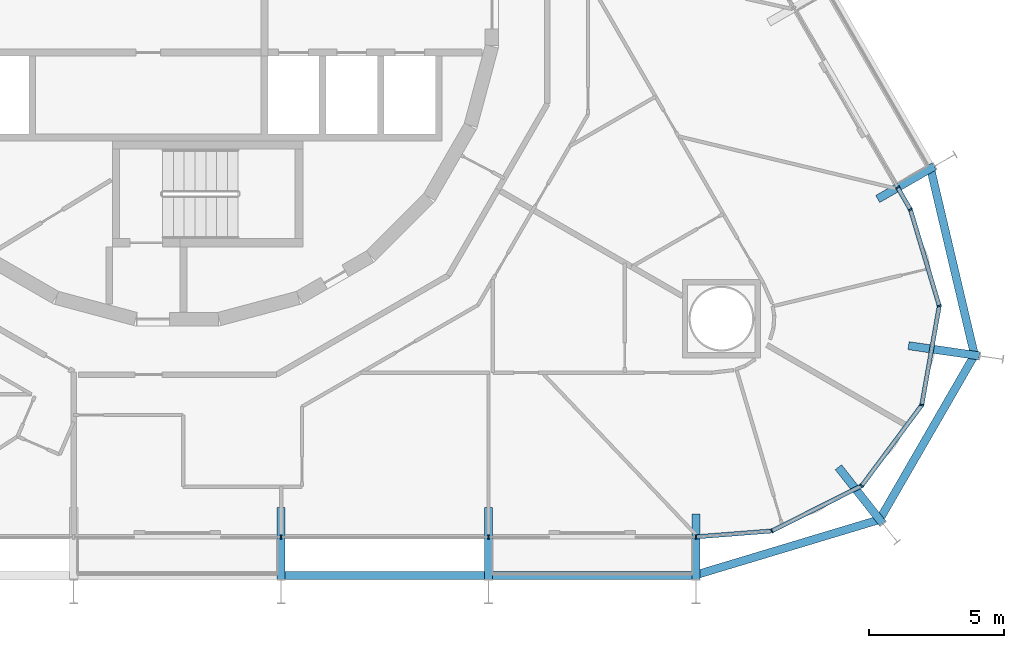
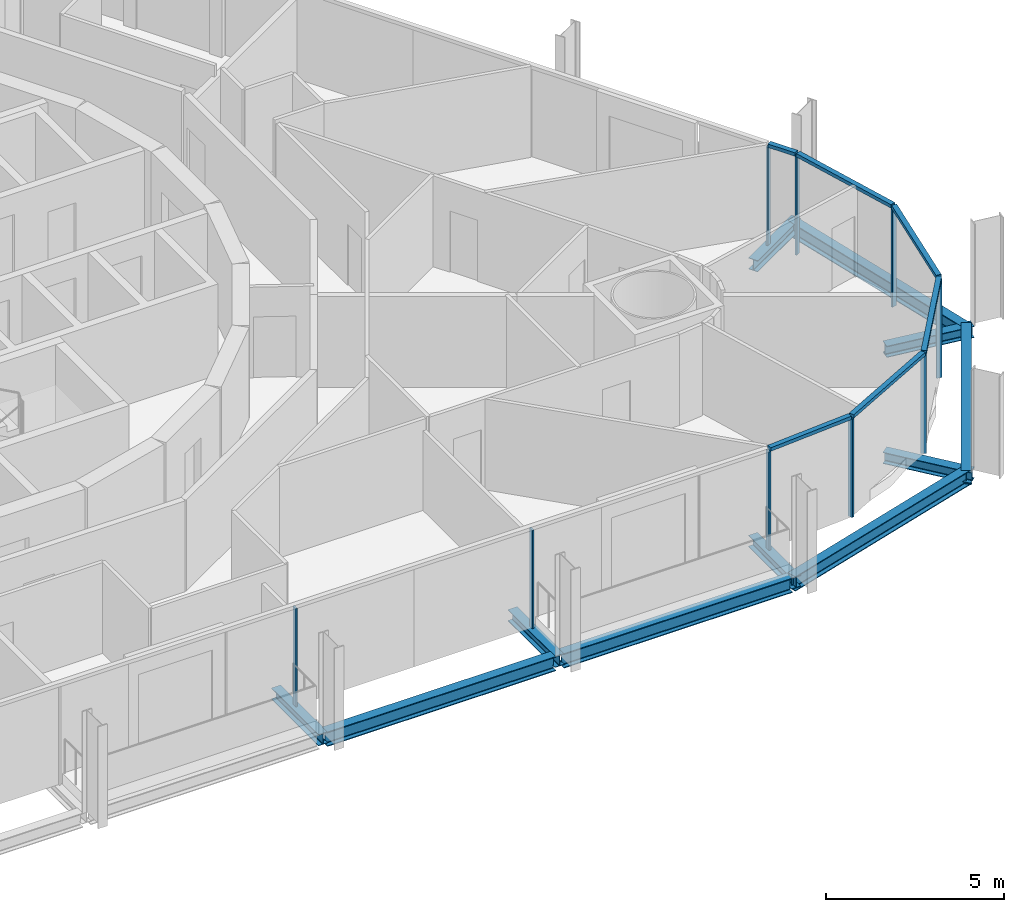
# One storey, part 6 of 21: 15 members, 11 beams, 3 elements without a shape of their own.
"""IFC4 building model written with IfcOpenShell, lengths in metres."""

import ifcopenshell
import ifcopenshell.guid

model = None  # the IFC model being written
_history = None  # IfcOwnerHistory: only IFC2X3 demands one
_inside = {}  # id of a spatial element -> (the spatial element, [elements in it])
_under = {}  # id of a project, library or spatial element -> (it, [spatial elements below it])
_declared = {}  # id of a project -> (the project, [libraries it declares])
_typed = {}  # id of a type object -> (the type object, [elements of that type])
_made_of = {}  # id of a material, layer set ... -> (it, [elements and type objects made of it])


def new_model(schema):
    """Start an empty IFC model of exactly this schema.

    Asked for "IFC4X3", IfcOpenShell would pick the latest addendum, in which some entities
    have other attributes; the version numbers below select the first issue.
    IFC2X3 requires an IfcOwnerHistory on every rooted entity: one is made here for all.
    """
    global model, _history
    if schema == "IFC4X3":
        model = ifcopenshell.file(schema_version=(4, 3, 0, 0))
    else:
        model = ifcopenshell.file(schema=schema)
    _inside.clear()
    _under.clear()
    _declared.clear()
    _typed.clear()
    _made_of.clear()
    _history = None
    if model.schema == "IFC2X3":
        org = make("IfcOrganization", Name="unknown")
        user = make(
            "IfcPersonAndOrganization",
            ThePerson=make("IfcPerson", FamilyName="unknown"),
            TheOrganization=org,
        )
        app = make(
            "IfcApplication",
            ApplicationDeveloper=org,
            Version="unknown",
            ApplicationFullName="unknown",
            ApplicationIdentifier="unknown",
        )
        _history = make(
            "IfcOwnerHistory",
            OwningUser=user,
            OwningApplication=app,
            ChangeAction="ADDED",
            CreationDate=0,
        )
    return model


def make(cls, **values):
    """One entity of the class cls with the attributes given. An attribute that is None is left unset."""
    return model.create_entity(
        cls, **{name: value for name, value in values.items() if value is not None}
    )


def rooted(cls, **values):
    """An entity with a GlobalId (a new one), such as an element, a storey or a relation."""
    return make(cls, GlobalId=ifcopenshell.guid.new(), OwnerHistory=_history, **values)


def si_unit(unit_type, name, prefix=None):
    """IfcSIUnit, for example si_unit("LENGTHUNIT", "METRE", prefix="MILLI")."""
    return make("IfcSIUnit", UnitType=unit_type, Prefix=prefix, Name=name)


def assignment(units):
    """IfcUnitAssignment: the units of a project."""
    return None if units is None else make("IfcUnitAssignment", Units=units)


def point(xyz):
    """IfcCartesianPoint."""
    return None if xyz is None else make("IfcCartesianPoint", Coordinates=xyz)


def direction(xyz):
    """IfcDirection."""
    return None if xyz is None else make("IfcDirection", DirectionRatios=xyz)


def frame(location, z_axis=None, x_axis=None):
    """IfcAxis2Placement3D, a coordinate frame: its origin and axes. An axis left out is left unset."""
    return make(
        "IfcAxis2Placement3D",
        Location=point(location),
        Axis=direction(z_axis),
        RefDirection=direction(x_axis),
    )


def frame_2d(location, x_axis=None):
    """IfcAxis2Placement2D, a coordinate frame in the plane: its origin and x axis."""
    return make(
        "IfcAxis2Placement2D", Location=point(location), RefDirection=direction(x_axis)
    )


def origin():
    """The frame at (0, 0, 0) with its axes left unset."""
    return frame((0.0, 0.0, 0.0))


def origin_2d():
    """The frame at (0, 0) in the plane with its x axis left unset."""
    return frame_2d((0.0, 0.0))


def place(relative_to, where):
    """IfcLocalPlacement: puts the frame where relative to a parent placement (None: the world)."""
    return make(
        "IfcLocalPlacement", PlacementRelTo=relative_to, RelativePlacement=where
    )


def context(
    kind, dimensions, precision=None, world=None, true_north=None, identifier=None
):
    """IfcGeometricRepresentationContext, for example the 3D "Model" context."""
    return make(
        "IfcGeometricRepresentationContext",
        ContextIdentifier=identifier,
        ContextType=kind,
        CoordinateSpaceDimension=dimensions,
        Precision=precision,
        WorldCoordinateSystem=world,
        TrueNorth=true_north,
    )


def subcontext(parent, identifier, kind, view, scale=None):
    """IfcGeometricRepresentationSubContext, for example "Body" below "Model"."""
    return make(
        "IfcGeometricRepresentationSubContext",
        ContextIdentifier=identifier,
        ContextType=kind,
        ParentContext=parent,
        TargetScale=scale,
        TargetView=view,
    )


def project(units=None, contexts=None):
    """IfcProject with its units and contexts."""
    return rooted(
        "IfcProject",
        Name="project",
        RepresentationContexts=contexts,
        UnitsInContext=assignment(units),
    )


def spatial(cls, under=None, at=None, **own):
    """A site, building, storey or space (cls), placed at a placement, below another one or the project."""
    s = rooted(cls, ObjectPlacement=at, **own)
    if under is not None:
        _under.setdefault(under.id(), (under, []))[1].append(s)
    return s


def profile(cls, at=None, kind="AREA", **sizes):
    """A parametric profile (cls). Its sizes go by their IFC names, for example OverallWidth=200.0."""
    return make(cls, ProfileType=kind, Position=at, **sizes)


def rectangle(**sizes):
    """IfcRectangleProfileDef."""
    return profile("IfcRectangleProfileDef", **sizes)


def i_section(**sizes):
    """IfcIShapeProfileDef."""
    return profile("IfcIShapeProfileDef", **sizes)


def extrude(swept, where, along, depth):
    """IfcExtrudedAreaSolid: the profile swept, set in the frame where, extruded along a direction by depth."""
    return make(
        "IfcExtrudedAreaSolid",
        SweptArea=swept,
        Position=where,
        ExtrudedDirection=direction(along),
        Depth=depth,
    )


def shape(context_of_items, identifier, shape_type, items):
    """IfcShapeRepresentation: the items that make up one representation, for example the "Body"."""
    return make(
        "IfcShapeRepresentation",
        ContextOfItems=context_of_items,
        RepresentationIdentifier=identifier,
        RepresentationType=shape_type,
        Items=items,
    )


def material(Name=None, Category=None):
    """IfcMaterial."""
    return make("IfcMaterial", Name=Name, Category=Category)


def layer(
    of_material, thickness, ventilated=None, Name=None, Category=None, Priority=None
):
    """IfcMaterialLayer: one layer of a wall or slab, of a material (None: an air gap)."""
    return make(
        "IfcMaterialLayer",
        Material=of_material,
        LayerThickness=thickness,
        IsVentilated=ventilated,
        Name=Name,
        Category=Category,
        Priority=Priority,
    )


def layer_set(layers, Name=None):
    """IfcMaterialLayerSet."""
    return make("IfcMaterialLayerSet", MaterialLayers=layers, LayerSetName=Name)


def material_profile(
    of_material, cross_section, Name=None, Category=None, Priority=None
):
    """IfcMaterialProfile: a cross section and its material."""
    return make(
        "IfcMaterialProfile",
        Name=Name,
        Material=of_material,
        Profile=cross_section,
        Priority=Priority,
        Category=Category,
    )


def profile_set(profiles, Name=None, composite=None):
    """IfcMaterialProfileSet."""
    return make(
        "IfcMaterialProfileSet",
        Name=Name,
        MaterialProfiles=profiles,
        CompositeProfile=composite,
    )


def made_of(thing, what):
    """Note that an element or type object is made of a material, layer set ...; save() writes the relation."""
    if what is not None:
        _made_of.setdefault(what.id(), (what, []))[1].append(thing)
    return thing


def type_object(cls, material=None, **own):
    """A type object (cls), such as IfcWallType, which elements share."""
    return made_of(rooted(cls, **own), material)


def element(
    cls,
    number,
    at=None,
    inside=None,
    cuts=None,
    type_object=None,
    material=None,
    context=None,
    identifier="Body",
    shape_type=None,
    held_by="IfcProductDefinitionShape",
    body=None,
    shapes=None,
    **own,
):
    """One element of the class cls, such as IfcWall. Its Tag is "e" and its number.

    at: its placement. inside: the storey or other place that contains it. cuts: it is an
    opening in that element (IfcRelVoidsElement). A single representation is given by context,
    identifier, shape_type and body (its items); several are given by shapes. held_by: the class
    of the entity that holds the representations. save() writes the other relations.
    """
    e = rooted(cls, Tag="e%d" % number, ObjectPlacement=at, **own)
    if body is not None:
        shapes = [shape(context, identifier, shape_type, body)]
    if shapes is not None:
        e.Representation = make(held_by, Representations=shapes)
    if inside is not None:
        _inside.setdefault(inside.id(), (inside, []))[1].append(e)
    if cuts is not None:
        rooted(
            "IfcRelVoidsElement", RelatingBuildingElement=cuts, RelatedOpeningElement=e
        )
    if type_object is not None:
        _typed.setdefault(type_object.id(), (type_object, []))[1].append(e)
    return made_of(e, material)


def aggregate(whole, parts):
    """IfcRelAggregates: a whole, such as a stair, and the parts it consists of."""
    return rooted("IfcRelAggregates", RelatingObject=whole, RelatedObjects=parts)


def save(model, path):
    """Write the relations noted so far, then the file.

    IfcRelAggregates (storeys below a building ...), IfcRelContainedInSpatialStructure (elements
    in a storey), IfcRelDefinesByType, IfcRelAssociatesMaterial and IfcRelDeclares: one each for
    every whole, place, type object, material and project.
    """
    for whole, parts in _under.values():
        aggregate(whole, parts)
    for where, things in _inside.values():
        rooted(
            "IfcRelContainedInSpatialStructure",
            RelatedElements=things,
            RelatingStructure=where,
        )
    for kind, things in _typed.values():
        rooted("IfcRelDefinesByType", RelatedObjects=things, RelatingType=kind)
    for what, things in _made_of.values():
        rooted("IfcRelAssociatesMaterial", RelatedObjects=things, RelatingMaterial=what)
    for by, libraries in _declared.values():
        rooted("IfcRelDeclares", RelatingContext=by, RelatedDefinitions=libraries)
    model.write(path)


model = new_model("IFC4")

# Units and contexts
model_context = context("Model", 3, precision=1e-05, world=origin(), true_north=direction((0.0, 1.0)))
body_context = subcontext(model_context, "Body", "Model", "MODEL_VIEW")
ifc_project = project(units=[si_unit("LENGTHUNIT", "METRE"), si_unit("AREAUNIT", "SQUARE_METRE"), si_unit("VOLUMEUNIT", "CUBIC_METRE"), si_unit("PLANEANGLEUNIT", "RADIAN"), si_unit("MASSUNIT", "GRAM", prefix="KILO")], contexts=[model_context])

# Site, building, storey
site_placement = place(None, origin())
site = spatial("IfcSite", under=ifc_project, at=site_placement, CompositionType="ELEMENT")
building_placement = place(site_placement, origin())
building = spatial("IfcBuilding", under=site, at=building_placement, Name="Spindle Arch Residences", CompositionType="ELEMENT")
storey_placement = place(building_placement, frame((0.0, 0.0, 48.89990234375)))
storey = spatial("IfcBuildingStorey", under=building, at=storey_placement, Name="L10", CompositionType="ELEMENT", Elevation=48.89990234375)

# Curtain wall, members
ifc_material_1 = material(Name="Aluminium bronze unitised frame with tinted glass", Category="aluminium")
ifc_layer_1 = layer(ifc_material_1, 0.159912109375)
ifc_layer_set_1 = layer_set([ifc_layer_1], Name="CW-D corner wall on the fillet arcs")
curtain_wall_type_1 = type_object("IfcCurtainWallType", Name="CW-D corner wall on the fillet arcs", PredefinedType="NOTDEFINED", material=ifc_layer_set_1)
curtain_wall_1_placement = place(storey_placement, origin())
curtain_wall_1 = element("IfcCurtainWall", 1, at=curtain_wall_1_placement, inside=storey, type_object=curtain_wall_type_1, Name="CW-D L10 run 1", PredefinedType="NOTDEFINED")
ifc_material_2 = material(Name="Aluminium bronze anodised mullion", Category="aluminium")
ifc_material_profile_1 = material_profile(ifc_material_2, rectangle(XDim=0.159912109375, YDim=0.06005859375, at=origin_2d()), Name="MU 60x160")
ifc_profile_set_1 = profile_set([ifc_material_profile_1], Name="Aluminium bronze anodised mullion")
member_type_1 = type_object("IfcMemberType", Name="Bronze mullion 60x160", PredefinedType="MULLION", material=ifc_profile_set_1)
member_1_placement = place(storey_placement, frame((19.2001953125, -19.7099609375, -0.3798828125), z_axis=(0.0, 0.0, 1.0), x_axis=(-0.077364085451, 0.997002907861, 0.0)))
member_1 = element("IfcMember", 2, at=member_1_placement, type_object=member_type_1, Name="CW-D mullion 00", PredefinedType="MULLION", context=body_context, shape_type="SweptSolid", body=[
    extrude(rectangle(XDim=0.159912109375, YDim=0.06005859375, at=origin_2d()), origin(), (0.0, 0.0, 1.0), 3.3798828125),
])
member_2_placement = place(storey_placement, frame((22.007080078125, -19.4921875, -0.3798828125), z_axis=(0.0, 0.0, 1.0), x_axis=(-0.448799176213, 0.893632642326, 0.0)))
member_2 = element("IfcMember", 3, at=member_2_placement, type_object=member_type_1, Name="CW-D mullion 01", PredefinedType="MULLION", context=body_context, shape_type="SweptSolid", body=[
    extrude(rectangle(XDim=0.159912109375, YDim=0.06005859375, at=origin_2d()), origin(), (0.0, 0.0, 1.0), 3.3798828125),
])
member_3_placement = place(storey_placement, frame((25.33740234375, -17.819580078125, -0.3798828125), z_axis=(0.0, 0.0, 1.0), x_axis=(-0.802123189687, 0.597158595823, 0.0)))
member_3 = element("IfcMember", 4, at=member_3_placement, type_object=member_type_1, Name="CW-D mullion 02", PredefinedType="MULLION", context=body_context, shape_type="SweptSolid", body=[
    extrude(rectangle(XDim=0.159912109375, YDim=0.06005859375, at=origin_2d()), origin(), (0.0, 0.0, 1.0), 3.3798828125),
])
member_4_placement = place(storey_placement, frame((27.562744140625, -14.830322265625, -0.3798828125), z_axis=(0.0, 0.0, 1.0), x_axis=(-0.984807752421, 0.173648181019, 0.0)))
member_4 = element("IfcMember", 5, at=member_4_placement, type_object=member_type_1, Name="CW-D mullion 03", PredefinedType="MULLION", context=body_context, shape_type="SweptSolid", body=[
    extrude(rectangle(XDim=0.159912109375, YDim=0.06005859375, at=origin_2d()), origin(), (0.0, 0.0, 1.0), 3.3798828125),
])
member_5_placement = place(storey_placement, frame((28.2099609375, -11.16015625, -0.3798828125), z_axis=(0.0, 0.0, 1.0), x_axis=(-0.957989512975, -0.28680323051, 0.0)))
member_5 = element("IfcMember", 6, at=member_5_placement, type_object=member_type_1, Name="CW-D mullion 04", PredefinedType="MULLION", context=body_context, shape_type="SweptSolid", body=[
    extrude(rectangle(XDim=0.159912109375, YDim=0.06005859375, at=origin_2d()), origin(), (0.0, 0.0, 1.0), 3.3798828125),
])
member_6_placement = place(storey_placement, frame((27.14111328125, -7.58984375, -0.3798828125), z_axis=(0.0, 0.0, 1.0), x_axis=(-0.866025403784, -0.5, 0.0)))
member_6 = element("IfcMember", 7, at=member_6_placement, type_object=member_type_1, Name="CW-D mullion 05", PredefinedType="MULLION", context=body_context, shape_type="SweptSolid", body=[
    extrude(rectangle(XDim=0.159912109375, YDim=0.06005859375, at=origin_2d()), origin(), (0.0, 0.0, 1.0), 3.3798828125),
])

# Curtain wall, member
ifc_material_3 = material(Name="Aluminium bronze unitised frame with tinted glass", Category="aluminium")
ifc_layer_2 = layer(ifc_material_3, 0.159912109375)
ifc_layer_set_2 = layer_set([ifc_layer_2], Name="CW-C typical residential unitised wall")
curtain_wall_type_2 = type_object("IfcCurtainWallType", Name="CW-C typical residential unitised wall", PredefinedType="NOTDEFINED", material=ifc_layer_set_2)
curtain_wall_2_placement = place(storey_placement, origin())
curtain_wall_2 = element("IfcCurtainWall", 8, at=curtain_wall_2_placement, inside=storey, type_object=curtain_wall_type_2, Name="CW-C L10 run 2", PredefinedType="NOTDEFINED")
member_7_placement = place(storey_placement, frame((26.66943359375, -6.77294921875, -0.3798828125), z_axis=(0.0, 0.0, 1.0), x_axis=(-0.866025403784, -0.5, 0.0)))
member_7 = element("IfcMember", 9, at=member_7_placement, type_object=member_type_1, Name="CW-C mullion 05", PredefinedType="MULLION", context=body_context, shape_type="SweptSolid", body=[
    extrude(rectangle(XDim=0.159912109375, YDim=0.06005859375, at=origin_2d()), origin(), (0.0, 0.0, 1.0), 3.3798828125),
])
aggregate(curtain_wall_2, [member_7])

# Curtain wall, members
curtain_wall_3_placement = place(storey_placement, origin())
curtain_wall_3 = element("IfcCurtainWall", 10, at=curtain_wall_3_placement, inside=storey, type_object=curtain_wall_type_2, Name="CW-C L10 run 6", PredefinedType="NOTDEFINED")
member_8_placement = place(storey_placement, frame((3.840087890625, -19.7099609375, -0.3798828125), z_axis=(0.0, 0.0, 1.0), x_axis=(0.0, 1.0, 0.0)))
member_8 = element("IfcMember", 11, at=member_8_placement, type_object=member_type_1, Name="CW-C mullion 00", PredefinedType="MULLION", context=body_context, shape_type="SweptSolid", body=[
    extrude(rectangle(XDim=0.159912109375, YDim=0.06005859375, at=origin_2d()), origin(), (0.0, 0.0, 1.0), 3.3798828125),
])
member_9_placement = place(storey_placement, frame((11.52001953125, -19.7099609375, -0.3798828125), z_axis=(0.0, 0.0, 1.0), x_axis=(0.0, 1.0, 0.0)))
member_9 = element("IfcMember", 12, at=member_9_placement, type_object=member_type_1, Name="CW-C mullion 01", PredefinedType="MULLION", context=body_context, shape_type="SweptSolid", body=[
    extrude(rectangle(XDim=0.159912109375, YDim=0.06005859375, at=origin_2d()), origin(), (0.0, 0.0, 1.0), 3.3798828125),
])
aggregate(curtain_wall_3, [member_8, member_9])

# Member
ifc_material_4 = material(Name="Aluminium bronze anodised transom", Category="aluminium")
ifc_material_profile_2 = material_profile(ifc_material_4, rectangle(XDim=0.159912109375, YDim=0.1201171875, at=origin_2d()), Name="TR 120x160")
ifc_profile_set_2 = profile_set([ifc_material_profile_2], Name="Aluminium bronze anodised transom")
member_type_2 = type_object("IfcMemberType", Name="Bronze transom 120x160", PredefinedType="USERDEFINED", material=ifc_profile_set_2)
member_10_placement = place(storey_placement, frame((19.22998046875, -19.70751953125, 3.06005859375), z_axis=(0.997003710875, 0.077353736189, 0.0), x_axis=(-0.077353736189, 0.997003710875, 0.0)))
member_10 = element("IfcMember", 13, at=member_10_placement, type_object=member_type_2, Name="CW-D transom 00", ObjectType="TRANSOM", PredefinedType="USERDEFINED", context=body_context, shape_type="SweptSolid", body=[
    extrude(rectangle(XDim=0.159912109375, YDim=0.1201171875, at=origin_2d()), origin(), (0.0, 0.0, 1.0), 2.75537109375),
])

member_11_placement = place(storey_placement, frame((22.03369140625, -19.478759765625, 3.06005859375), z_axis=(0.893626812559, 0.448810784046, 0.0), x_axis=(-0.448810784046, 0.893626812559, 0.0)))
member_11 = element("IfcMember", 14, at=member_11_placement, type_object=member_type_2, Name="CW-D transom 01", ObjectType="TRANSOM", PredefinedType="USERDEFINED", context=body_context, shape_type="SweptSolid", body=[
    extrude(rectangle(XDim=0.159912109375, YDim=0.1201171875, at=origin_2d()), origin(), (0.0, 0.0, 1.0), 3.6669921875),
])

member_12_placement = place(storey_placement, frame((25.355224609375, -17.79541015625, 3.06005859375), z_axis=(0.597173190998, 0.802112323776, 0.0), x_axis=(-0.802112323776, 0.597173190998, 0.0)))
member_12 = element("IfcMember", 15, at=member_12_placement, type_object=member_type_2, Name="CW-D transom 02", ObjectType="TRANSOM", PredefinedType="USERDEFINED", context=body_context, shape_type="SweptSolid", body=[
    extrude(rectangle(XDim=0.159912109375, YDim=0.1201171875, at=origin_2d()), origin(), (0.0, 0.0, 1.0), 3.666748046875),
])

member_13_placement = place(storey_placement, frame((27.56787109375, -14.80078125, 3.06005859375), z_axis=(0.173709368694, 0.984796961423, 0.0), x_axis=(-0.984796961423, 0.173709368694, 0.0)))
member_13 = element("IfcMember", 16, at=member_13_placement, type_object=member_type_2, Name="CW-D transom 03", ObjectType="TRANSOM", PredefinedType="USERDEFINED", context=body_context, shape_type="SweptSolid", body=[
    extrude(rectangle(XDim=0.159912109375, YDim=0.1201171875, at=origin_2d()), origin(), (0.0, 0.0, 1.0), 3.666748046875),
])

member_14_placement = place(storey_placement, frame((28.201416015625, -11.13134765625, 3.06005859375), z_axis=(-0.286834736274, 0.957980080203, 0.0), x_axis=(-0.957980080203, -0.286834736274, 0.0)))
member_14 = element("IfcMember", 17, at=member_14_placement, type_object=member_type_2, Name="CW-D transom 04", ObjectType="TRANSOM", PredefinedType="USERDEFINED", context=body_context, shape_type="SweptSolid", body=[
    extrude(rectangle(XDim=0.159912109375, YDim=0.1201171875, at=origin_2d()), origin(), (0.0, 0.0, 1.0), 3.666748046875),
])

member_15_placement = place(storey_placement, frame((27.1259765625, -7.56396484375, 3.06005859375), z_axis=(-0.499913830031, 0.866075148324, 0.0), x_axis=(-0.866075148324, -0.499913830031, 0.0)))
member_15 = element("IfcMember", 18, at=member_15_placement, type_object=member_type_2, Name="CW-D transom 05", ObjectType="TRANSOM", PredefinedType="USERDEFINED", context=body_context, shape_type="SweptSolid", body=[
    extrude(rectangle(XDim=0.159912109375, YDim=0.1201171875, at=origin_2d()), origin(), (0.0, 0.0, 1.0), 0.883544921875),
])

aggregate(curtain_wall_1, [member_1, member_10, member_2, member_11, member_3, member_12, member_4, member_13, member_5, member_14, member_6, member_15])

# Beams
ifc_material_5 = material(Name="Steel S460ML, intumescent coating R 120", Category="steel")
ifc_material_profile_3 = material_profile(ifc_material_5, i_section(OverallWidth=0.300048828125, OverallDepth=0.5, WebThickness=0.014404296875, FlangeThickness=0.028076171875, FilletRadius=0.027099609375, at=origin_2d()), Name="HEB 500")
ifc_profile_set_3 = profile_set([ifc_material_profile_3], Name="Steel S460ML, intumescent coating R 120")
beam_type_1 = type_object("IfcBeamType", Name="Exoskeleton edge beam HEB 500", PredefinedType="BEAM", material=ifc_profile_set_3)
for number, where, z_axis, x_axis, name in (
    (19, (3.969970703125, -21.142822265625, -0.6298828125), (1.0, 0.0, 0.0), (0.0, 1.0, 0.0), "Exoskeleton edge beam 1"),
    (20, (11.650146484375, -21.142822265625, -0.6298828125), (1.0, 0.0, 0.0), (0.0, 1.0, 0.0), "Exoskeleton edge beam 2"),
):
    element("IfcBeam", number, at=place(storey_placement, frame(where, z_axis=z_axis, x_axis=x_axis)), inside=storey, type_object=beam_type_1, Name=name, PredefinedType="BEAM", context=body_context, shape_type="SweptSolid", body=[
        extrude(i_section(OverallWidth=0.300048828125, OverallDepth=0.5, WebThickness=0.014404296875, FlangeThickness=0.028076171875, FilletRadius=0.027099609375, at=origin_2d()), origin(), (0.0, 0.0, 1.0), 7.420166015625),
    ])
beam_1_placement = place(storey_placement, frame((19.132568359375, -21.1376953125, -0.6298828125), z_axis=(0.95756732363, 0.288209681856, 0.0), x_axis=(-0.288209681856, 0.95756732363, 0.0)))
element("IfcBeam", 21, at=beam_1_placement, inside=storey, type_object=beam_type_1, Name="Exoskeleton edge beam 3", PredefinedType="BEAM", context=body_context, shape_type="SweptSolid", body=[
    extrude(i_section(OverallWidth=0.300048828125, OverallDepth=0.5, WebThickness=0.014404296875, FlangeThickness=0.028076171875, FilletRadius=0.027099609375, at=origin_2d()), origin(), (0.0, 0.0, 1.0), 7.250244140625),
])
beam_2_placement = place(storey_placement, frame((25.9482421875, -19.1591796875, -0.6298828125), z_axis=(0.499999897272, 0.866025463095, 0.0), x_axis=(-0.866025463095, 0.499999897272, 0.0)))
element("IfcBeam", 22, at=beam_2_placement, inside=storey, type_object=beam_type_1, Name="Exoskeleton edge beam 4", PredefinedType="BEAM", context=body_context, shape_type="SweptSolid", body=[
    extrude(i_section(OverallWidth=0.300048828125, OverallDepth=0.5, WebThickness=0.014404296875, FlangeThickness=0.028076171875, FilletRadius=0.027099609375, at=origin_2d()), origin(), (0.0, 0.0, 1.0), 7.236328125),
])
beam_3_placement = place(storey_placement, frame((29.53369140625, -13.0576171875, -0.6298828125), z_axis=(-0.229185730541, 0.973382710406, 0.0), x_axis=(-0.973382710406, -0.229185730541, 0.0)))
element("IfcBeam", 23, at=beam_3_placement, inside=storey, type_object=beam_type_1, Name="Exoskeleton edge beam 5", PredefinedType="BEAM", context=body_context, shape_type="SweptSolid", body=[
    extrude(i_section(OverallWidth=0.300048828125, OverallDepth=0.5, WebThickness=0.014404296875, FlangeThickness=0.028076171875, FilletRadius=0.027099609375, at=origin_2d()), origin(), (0.0, 0.0, 1.0), 7.25),
])
ifc_material_6 = material(Name="Steel S460ML, intumescent coating R 120", Category="steel")
ifc_material_profile_4 = material_profile(ifc_material_6, i_section(OverallWidth=0.300048828125, OverallDepth=0.389892578125, WebThickness=0.010986328125, FlangeThickness=0.01904296875, FilletRadius=0.027099609375, at=origin_2d()), Name="HEA 400")
ifc_profile_set_4 = profile_set([ifc_material_profile_4], Name="Steel S460ML, intumescent coating R 120")
beam_type_2 = type_object("IfcBeamType", Name="Floor outrigger HEA 400", PredefinedType="BEAM", material=ifc_profile_set_4)
for number, where, z_axis, x_axis, name in (
    (24, (3.840087890625, -21.27978515625, -0.574951171875), (0.0, 1.0, 0.0), (-1.0, 0.0, 0.0), "Floor outrigger 1"),
    (25, (11.52001953125, -21.27978515625, -0.574951171875), (0.0, 1.0, 0.0), (-1.0, 0.0, 0.0), "Floor outrigger 2"),
):
    element("IfcBeam", number, at=place(storey_placement, frame(where, z_axis=z_axis, x_axis=x_axis)), inside=storey, type_object=beam_type_2, Name=name, PredefinedType="BEAM", context=body_context, shape_type="SweptSolid", body=[
        extrude(i_section(OverallWidth=0.300048828125, OverallDepth=0.389892578125, WebThickness=0.010986328125, FlangeThickness=0.01904296875, FilletRadius=0.027099609375, at=origin_2d()), origin(), (0.0, 0.0, 1.0), 2.64990234375),
    ])
beam_4_placement = place(storey_placement, frame((19.2001953125, -21.27978515625, -0.574951171875), z_axis=(0.0, 1.0, 0.0), x_axis=(-1.0, 0.0, 0.0)))
element("IfcBeam", 26, at=beam_4_placement, inside=storey, type_object=beam_type_2, Name="Floor outrigger 3", PredefinedType="BEAM", context=body_context, shape_type="SweptSolid", body=[
    extrude(i_section(OverallWidth=0.300048828125, OverallDepth=0.389892578125, WebThickness=0.010986328125, FlangeThickness=0.01904296875, FilletRadius=0.027099609375, at=origin_2d()), origin(), (0.0, 0.0, 1.0), 2.42333984375),
])
for number, where, z_axis, x_axis, name in (
    (27, (26.11328125, -19.211669921875, -0.574951171875), (-0.618586231558, 0.785716917297, 0.0), (-0.785716917297, -0.618586231558, 0.0), "Floor outrigger 4"),
    (28, (29.694580078125, -13.009033203125, -0.574951171875), (-0.989738348309, 0.142891573883, 0.0), (-0.142891573883, -0.989738348309, 0.0), "Floor outrigger 5"),
):
    element("IfcBeam", number, at=place(storey_placement, frame(where, z_axis=z_axis, x_axis=x_axis)), inside=storey, type_object=beam_type_2, Name=name, PredefinedType="BEAM", context=body_context, shape_type="SweptSolid", body=[
        extrude(i_section(OverallWidth=0.300048828125, OverallDepth=0.389892578125, WebThickness=0.010986328125, FlangeThickness=0.01904296875, FilletRadius=0.027099609375, at=origin_2d()), origin(), (0.0, 0.0, 1.0), 2.64990234375),
    ])
beam_5_placement = place(storey_placement, frame((28.029052734375, -5.98779296875, -0.574951171875), z_axis=(-0.866002732682, -0.500039265445, 0.0), x_axis=(0.500039265445, -0.866002732682, 0.0)))
element("IfcBeam", 29, at=beam_5_placement, inside=storey, type_object=beam_type_2, Name="Floor outrigger 6", PredefinedType="BEAM", context=body_context, shape_type="SweptSolid", body=[
    extrude(i_section(OverallWidth=0.300048828125, OverallDepth=0.389892578125, WebThickness=0.010986328125, FlangeThickness=0.01904296875, FilletRadius=0.027099609375, at=origin_2d()), origin(), (0.0, 0.0, 1.0), 2.423583984375),
])

save(model, "model.ifc")
